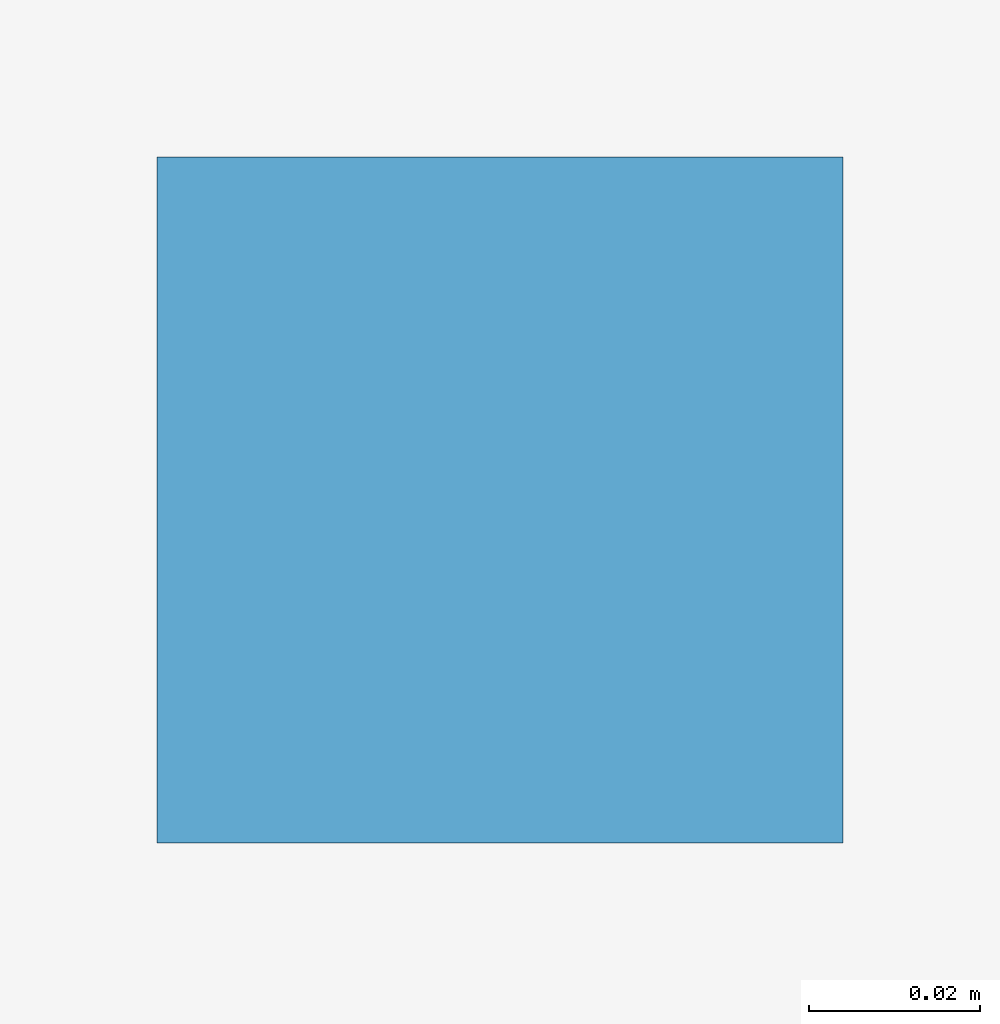
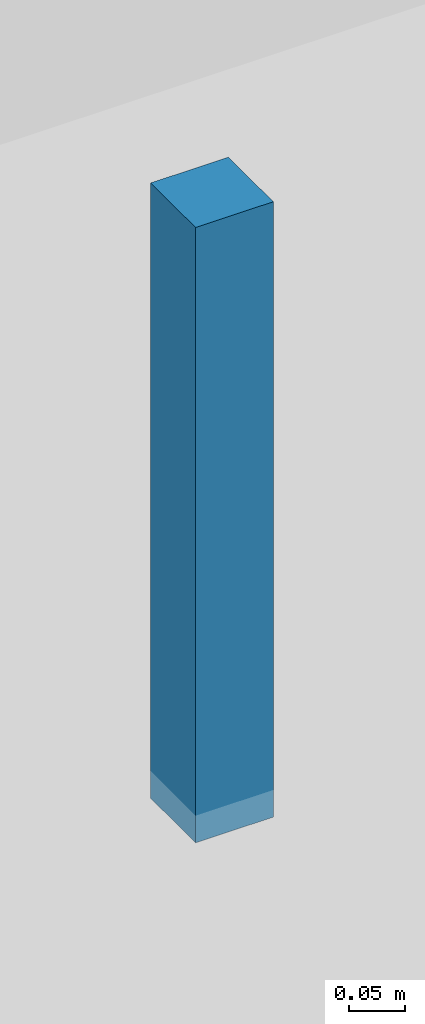
# One storey, part 11 of 15: 1 discrete accessory.
"""IFC4 building model written with IfcOpenShell, lengths in metres."""

from ifc_helpers import new_model, si_unit, direction, frame, origin, origin_2d, place, context, subcontext, project, spatial, rectangle, extrude, source, transform, mapped, material, type_object, element, save


model = new_model("IFC4")

# Units and contexts
model_context = context("Model", 3, precision=1e-05, world=origin(), true_north=direction((0.0, 1.0)))
body_context = subcontext(model_context, "Body", "Model", "MODEL_VIEW")
ifc_project = project(units=[si_unit("LENGTHUNIT", "METRE"), si_unit("AREAUNIT", "SQUARE_METRE"), si_unit("VOLUMEUNIT", "CUBIC_METRE"), si_unit("PLANEANGLEUNIT", "RADIAN"), si_unit("MASSUNIT", "GRAM", prefix="KILO")], contexts=[model_context])

# Site, building, storey
site_placement = place(None, origin())
site = spatial("IfcSite", under=ifc_project, at=site_placement, CompositionType="ELEMENT")
building_placement = place(site_placement, origin())
building = spatial("IfcBuilding", under=site, at=building_placement, Name="Giltprow Tower", CompositionType="ELEMENT")
storey_placement = place(building_placement, frame((0.0, 0.0, 170.199951171875)))
storey = spatial("IfcBuildingStorey", under=building, at=storey_placement, Name="L42", CompositionType="ELEMENT", Elevation=170.199951171875)

# Discrete accessory
ifc_material = material(Name="Structural steel Q355B", Category="steel")
discrete_accessory_type = type_object("IfcDiscreteAccessoryType", Name="ACC-CLG-HANGER", PredefinedType="BRACKET", material=ifc_material)
shared_shape = source(origin(), body_context, "Body", "SweptSolid", [
    extrude(rectangle(XDim=0.080078125, YDim=0.080078125, at=origin_2d()), origin(), (0.0, 0.0, 1.0), 0.669921875),
])
discrete_accessory_placement = place(storey_placement, frame((35.0, 36.0, 2.6201171875), z_axis=(0.0, 0.0, 1.0), x_axis=(1.0, 0.0, 0.0)))
element("IfcDiscreteAccessory", 1, at=discrete_accessory_placement, inside=storey, type_object=discrete_accessory_type, Name="L42 Hotel Corridor Gypsum Ceiling Suspension Hanger", PredefinedType="BRACKET", context=body_context, shape_type="MappedRepresentation", body=[
    mapped(shared_shape, transform((0.0, 0.0, 0.0), x_axis=(1.0, 0.0, 0.0), y_axis=(0.0, 1.0, 0.0), z_axis=(0.0, 0.0, 1.0), scale=1.0)),
])

save(model, "model.ifc")
